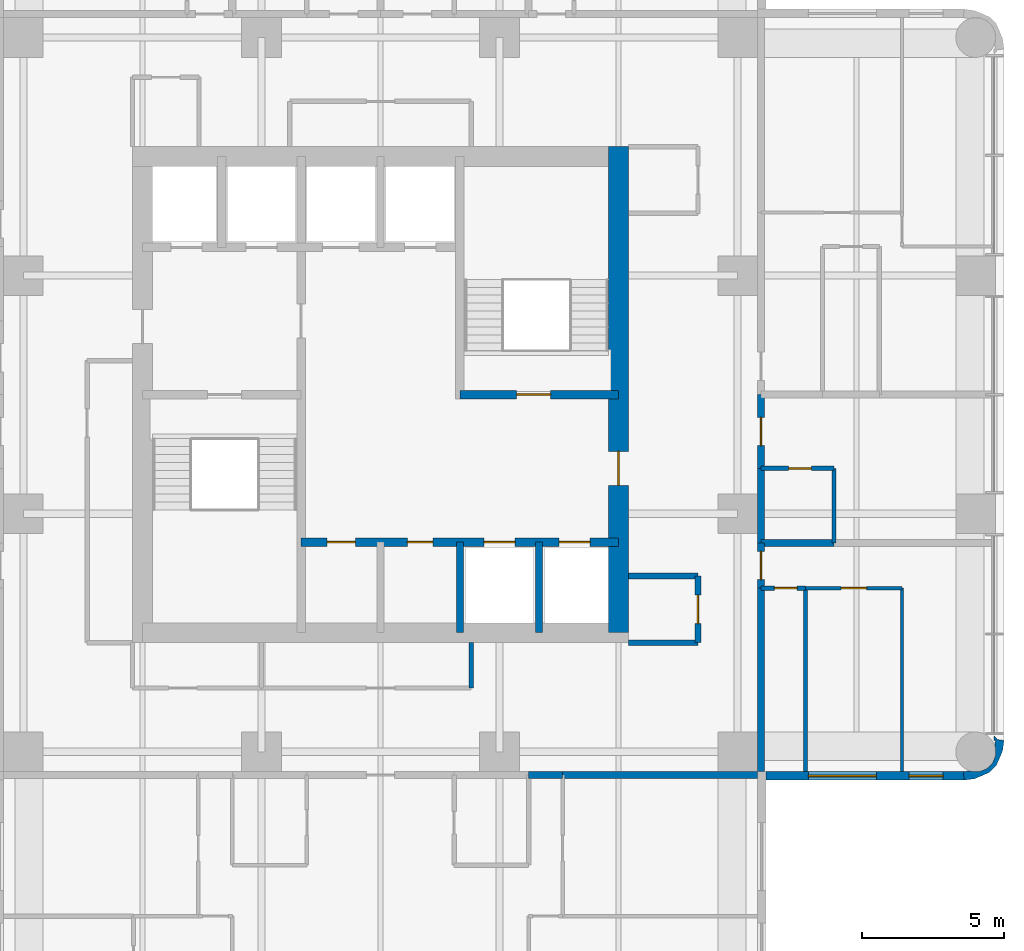
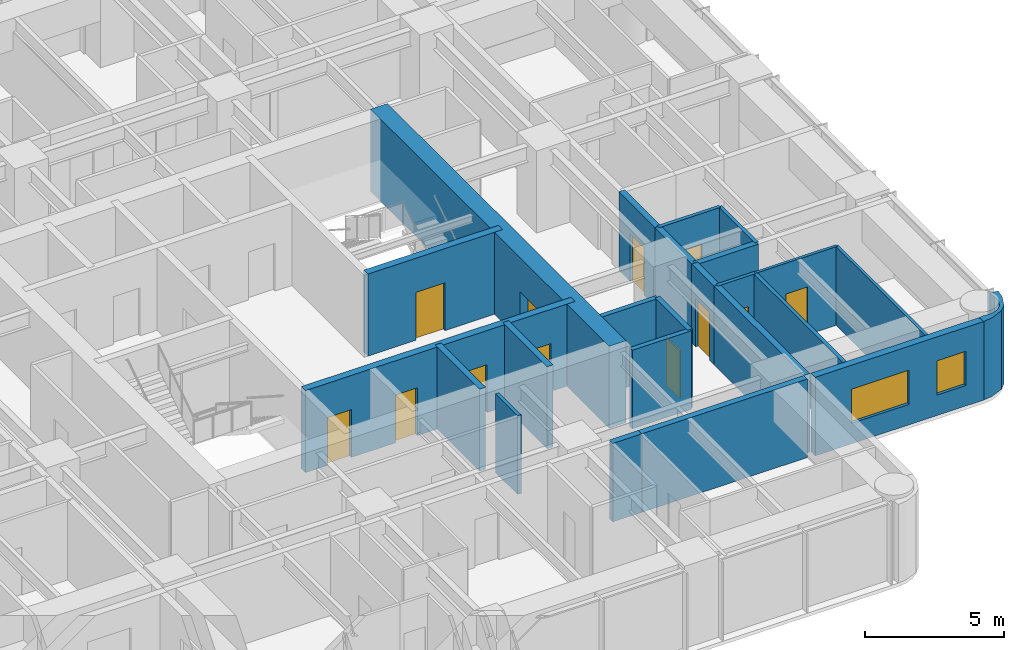
# One storey, part 7 of 11: 24 walls, 12 doors, 2 windows, 14 openings.
"""IFC4 building model written with IfcOpenShell, lengths in metres."""

from ifc_helpers import new_model, si_unit, direction, frame, frame_2d, origin, place, context, subcontext, project, spatial, polyline, rectangle, outline, extrude, material, layer, layer_set, type_object, element, fill, save


model = new_model("IFC4")

# Units and contexts
model_context = context("Model", 3, precision=1e-05, world=origin(), true_north=direction((0.0, 1.0)))
body_context = subcontext(model_context, "Body", "Model", "MODEL_VIEW")
ifc_project = project(units=[si_unit("LENGTHUNIT", "METRE"), si_unit("AREAUNIT", "SQUARE_METRE"), si_unit("VOLUMEUNIT", "CUBIC_METRE"), si_unit("PLANEANGLEUNIT", "RADIAN"), si_unit("MASSUNIT", "GRAM", prefix="KILO")], contexts=[model_context])

# Site, building, storey
site_placement = place(None, origin())
site = spatial("IfcSite", under=ifc_project, at=site_placement, CompositionType="ELEMENT")
building_placement = place(site_placement, origin())
building = spatial("IfcBuilding", under=site, at=building_placement, Name="Torre Alcanfor", CompositionType="ELEMENT")
storey_placement = place(building_placement, frame((0.0, 0.0, 219.300048828125)))
storey = spatial("IfcBuildingStorey", under=building, at=storey_placement, Name="L57", CompositionType="ELEMENT", Elevation=219.300048828125)

# Wall, opening, door
ifc_material_1 = material(Name="Concrete block masonry, hollow blocks NMX-C-404 9 MPa", Category="masonry")
ifc_layer_1 = layer(ifc_material_1, 0.25)
ifc_layer_set_1 = layer_set([ifc_layer_1], Name="Apartment entrance wall 250 EI 60")
wall_type_1 = type_object("IfcWallType", Name="Apartment entrance wall 250 EI 60", PredefinedType="PARTITIONING", material=ifc_layer_set_1)
wall_1_placement = place(storey_placement, frame((42.824951171875, 29.39990234375, 0.0), z_axis=(0.0, 0.0, 1.0), x_axis=(0.0, -1.0, 0.0)))
wall_1 = element("IfcWall", 1, at=wall_1_placement, inside=storey, type_object=wall_type_1, Name="Partition L57-CORR / L57-E2A-STUDIO", PredefinedType="PARTITIONING", context=body_context, shape_type="SweptSolid", body=[
    extrude(rectangle(XDim=2.599853515625, YDim=0.25, at=frame_2d((1.2998046875, 0.0))), origin(), (0.0, 0.0, 1.0), 3.449951171875),
])
opening_1_placement = place(wall_1_placement, frame((0.800048828125, 0.0, 0.0)))
opening_1 = element("IfcOpeningElement", 2, at=opening_1_placement, cuts=wall_1, Name="Opening D-A1", PredefinedType="OPENING", context=body_context, shape_type="SweptSolid", body=[
    extrude(rectangle(XDim=1.0, YDim=2.10009765625, at=frame_2d((0.5, 1.050048828125))), frame((0.0, 0.135009765625, 0.0), z_axis=(0.0, -1.0, 0.0), x_axis=(1.0, 0.0, 0.0)), (0.0, 0.0, 1.0), 0.27001953125),
])
ifc_material_2 = material(Name="Galvanised steel sheet ASTM A653", Category="steel")
door_type_1 = type_object("IfcDoorType", Name="Apartment entrance door FD60 1000x2100", OperationType="SINGLE_SWING_LEFT", PredefinedType="DOOR", material=ifc_material_2)
door_1_placement = place(opening_1_placement, origin())
door_1 = element("IfcDoor", 3, at=door_1_placement, inside=storey, type_object=door_type_1, Name="Apartment entrance L57-E2A", OperationType="SINGLE_SWING_LEFT", OverallHeight=2.10009765625, OverallWidth=1.0, PredefinedType="DOOR", context=body_context, shape_type="SweptSolid", body=[
    extrude(rectangle(XDim=1.0, YDim=2.10009765625, at=frame_2d((0.5, 1.050048828125))), frame((0.0, 0.02490234375, 0.0), z_axis=(0.0, -1.0, 0.0), x_axis=(1.0, 0.0, 0.0)), (0.0, 0.0, 1.0), 0.050048828125),
])
fill(opening_1, door_1)

# Wall
wall_2_placement = place(storey_placement, frame((42.824951171875, 26.800048828125, 0.0), z_axis=(0.0, 0.0, 1.0), x_axis=(0.0, -1.0, 0.0)))
element("IfcWall", 4, at=wall_2_placement, inside=storey, type_object=wall_type_1, Name="Partition L57-CORR / L57-E2A-BATH", PredefinedType="PARTITIONING", context=body_context, shape_type="SweptSolid", body=[
    extrude(rectangle(XDim=2.629150390625, YDim=0.25, at=frame_2d((1.314453125, 0.0))), origin(), (0.0, 0.0, 1.0), 3.449951171875),
])

# Wall, opening, door
wall_3_placement = place(storey_placement, frame((42.824951171875, 24.1708984375, 0.0), z_axis=(0.0, 0.0, 1.0), x_axis=(0.0, -1.0, 0.0)))
wall_3 = element("IfcWall", 5, at=wall_3_placement, inside=storey, type_object=wall_type_1, Name="Partition L57-CORR / L57-E2B-LIVING", PredefinedType="PARTITIONING", context=body_context, shape_type="SweptSolid", body=[
    extrude(rectangle(XDim=1.599853515625, YDim=0.25, at=frame_2d((0.7998046875, 0.0))), origin(), (0.0, 0.0, 1.0), 3.449951171875),
])
opening_2_placement = place(wall_3_placement, frame((0.300048828125, 0.0, 0.0)))
opening_2 = element("IfcOpeningElement", 6, at=opening_2_placement, cuts=wall_3, Name="Opening D-A1", PredefinedType="OPENING", context=body_context, shape_type="SweptSolid", body=[
    extrude(rectangle(XDim=1.0, YDim=2.10009765625, at=frame_2d((0.5, 1.050048828125))), frame((0.0, 0.135009765625, 0.0), z_axis=(0.0, -1.0, 0.0), x_axis=(1.0, 0.0, 0.0)), (0.0, 0.0, 1.0), 0.27001953125),
])
door_2_placement = place(opening_2_placement, origin())
door_2 = element("IfcDoor", 7, at=door_2_placement, inside=storey, type_object=door_type_1, Name="Apartment entrance L57-E2B", OperationType="SINGLE_SWING_LEFT", OverallHeight=2.10009765625, OverallWidth=1.0, PredefinedType="DOOR", context=body_context, shape_type="SweptSolid", body=[
    extrude(rectangle(XDim=1.0, YDim=2.10009765625, at=frame_2d((0.5, 1.050048828125))), frame((0.0, 0.02490234375, 0.0), z_axis=(0.0, -1.0, 0.0), x_axis=(1.0, 0.0, 0.0)), (0.0, 0.0, 1.0), 0.050048828125),
])
fill(opening_2, door_2)

# Walls
wall_4_placement = place(storey_placement, frame((42.824951171875, 22.571044921875, 0.0), z_axis=(0.0, 0.0, 1.0), x_axis=(0.0, -1.0, 0.0)))
element("IfcWall", 8, at=wall_4_placement, inside=storey, type_object=wall_type_1, Name="Partition L57-CORR / L57-E2B-BATH", PredefinedType="PARTITIONING", context=body_context, shape_type="SweptSolid", body=[
    extrude(rectangle(XDim=6.470947265625, YDim=0.25, at=frame_2d((3.2353515625, 0.0))), origin(), (0.0, 0.0, 1.0), 3.449951171875),
])
wall_5_placement = place(storey_placement, frame((35.8291015625, 15.97509765625, 0.0), z_axis=(0.0, 0.0, 1.0), x_axis=(-1.0, 0.0, 0.0)))
element("IfcWall", 9, at=wall_5_placement, inside=storey, type_object=wall_type_1, Name="Partition L57-CORR / L57-SX-LIVING", PredefinedType="PARTITIONING", context=body_context, shape_type="SweptSolid", body=[
    extrude(rectangle(XDim=1.2001953125, YDim=0.25, at=frame_2d((0.60009765625, 0.0))), origin(), (0.0, 0.0, 1.0), 3.449951171875),
])
wall_6_placement = place(storey_placement, frame((42.699951171875, 15.97509765625, 0.0), z_axis=(0.0, 0.0, 1.0), x_axis=(-1.0, 0.0, 0.0)))
element("IfcWall", 10, at=wall_6_placement, inside=storey, type_object=wall_type_1, Name="Partition L57-CORR / L57-SX-BED2", PredefinedType="PARTITIONING", context=body_context, shape_type="SweptSolid", body=[
    extrude(rectangle(XDim=6.870849609375, YDim=0.25, at=frame_2d((3.435546875, 0.0))), origin(), (0.0, 0.0, 1.0), 3.449951171875),
])
ifc_material_3 = material(Name="Gypsum board on steel studs", Category="steel")
ifc_layer_2 = layer(ifc_material_3, 0.1201171875)
ifc_layer_set_2 = layer_set([ifc_layer_2], Name="Apartment partition 120")
wall_type_2 = type_object("IfcWallType", Name="Apartment partition 120", PredefinedType="PARTITIONING", material=ifc_layer_set_2)
wall_7_placement = place(storey_placement, frame((47.800048828125, 16.10009765625, 0.0), z_axis=(0.0, 0.0, 1.0), x_axis=(0.0, 1.0, 0.0)))
element("IfcWall", 11, at=wall_7_placement, inside=storey, type_object=wall_type_2, Name="Partition L57-E2B-LIVING / L57-E2B-MASTER", PredefinedType="PARTITIONING", context=body_context, shape_type="SweptSolid", body=[
    extrude(rectangle(XDim=6.470947265625, YDim=0.1201171875, at=frame_2d((3.2353515625, 0.0))), origin(), (0.0, 0.0, 1.0), 3.449951171875),
])

# Wall, opening, door
wall_8_placement = place(storey_placement, frame((47.800048828125, 22.571044921875, 0.0), z_axis=(0.0, 0.0, 1.0), x_axis=(-1.0, 0.0, 0.0)))
wall_8 = element("IfcWall", 12, at=wall_8_placement, inside=storey, type_object=wall_type_2, Name="Partition L57-E2B-LIVING / L57-E2B-MASTER", PredefinedType="PARTITIONING", context=body_context, shape_type="SweptSolid", body=[
    extrude(rectangle(XDim=3.400146484375, YDim=0.1201171875, at=frame_2d((1.7001953125, 0.0))), origin(), (0.0, 0.0, 1.0), 3.449951171875),
])
opening_3_placement = place(wall_8_placement, frame((1.25, 0.0, 0.0)))
opening_3 = element("IfcOpeningElement", 13, at=opening_3_placement, cuts=wall_8, Name="Opening D-R1", PredefinedType="OPENING", context=body_context, shape_type="SweptSolid", body=[
    extrude(rectangle(XDim=0.89990234375, YDim=2.10009765625, at=frame_2d((0.449951171875, 1.050048828125))), frame((0.0, 0.070068359375, 0.0), z_axis=(0.0, -1.0, 0.0), x_axis=(1.0, 0.0, 0.0)), (0.0, 0.0, 1.0), 0.14013671875),
])
ifc_material_4 = material(Name="Timber", Category="wood")
door_type_2 = type_object("IfcDoorType", Name="Internal door 900x2100", OperationType="SINGLE_SWING_LEFT", PredefinedType="DOOR", material=ifc_material_4)
door_3_placement = place(opening_3_placement, origin())
door_3 = element("IfcDoor", 14, at=door_3_placement, inside=storey, type_object=door_type_2, Name="Door L57-E2B master", OperationType="SINGLE_SWING_LEFT", OverallHeight=2.10009765625, OverallWidth=0.89990234375, PredefinedType="DOOR", context=body_context, shape_type="SweptSolid", body=[
    extrude(rectangle(XDim=0.89990234375, YDim=2.10009765625, at=frame_2d((0.449951171875, 1.050048828125))), frame((0.0, 0.02490234375, 0.0), z_axis=(0.0, -1.0, 0.0), x_axis=(1.0, 0.0, 0.0)), (0.0, 0.0, 1.0), 0.050048828125),
])
fill(opening_3, door_3)

# Wall, openings, doors
ifc_material_5 = material(Name="Concrete f'c 70 MPa", Category="concrete")
ifc_layer_3 = layer(ifc_material_5, 0.300048828125)
ifc_layer_set_3 = layer_set([ifc_layer_3], Name="Core inner wall 300 f'c70")
wall_type_3 = type_object("IfcWallType", Name="Core inner wall 300 f'c70", PredefinedType="SHEAR", material=ifc_layer_set_3)
wall_9_placement = place(storey_placement, frame((26.60009765625, 24.199951171875, 0.0), z_axis=(0.0, 0.0, 1.0), x_axis=(1.0, 0.0, 0.0)))
wall_9 = element("IfcWall", 15, at=wall_9_placement, inside=storey, type_object=wall_type_3, Name="Core wall Y242 L57", PredefinedType="SHEAR", context=body_context, shape_type="SweptSolid", body=[
    extrude(rectangle(XDim=11.199951171875, YDim=0.300048828125, at=frame_2d((5.60009765625, 0.0))), origin(), (0.0, 0.0, 1.0), 3.599853515625),
])
opening_4_placement = place(wall_9_placement, frame((0.91259765625, 0.0, 0.0)))
opening_4 = element("IfcOpeningElement", 16, at=opening_4_placement, cuts=wall_9, Name="Opening D-K1", PredefinedType="OPENING", context=body_context, shape_type="SweptSolid", body=[
    extrude(rectangle(XDim=1.0, YDim=2.10009765625, at=frame_2d((0.5, 1.050048828125))), frame((0.0, 0.159912109375, 0.0), z_axis=(0.0, -1.0, 0.0), x_axis=(1.0, 0.0, 0.0)), (0.0, 0.0, 1.0), 0.320068359375),
])
opening_5_placement = place(wall_9_placement, frame((3.75, 0.0, 0.0)))
opening_5 = element("IfcOpeningElement", 17, at=opening_5_placement, cuts=wall_9, Name="Opening D-Q1", PredefinedType="OPENING", context=body_context, shape_type="SweptSolid", body=[
    extrude(rectangle(XDim=0.89990234375, YDim=2.10009765625, at=frame_2d((0.449951171875, 1.050048828125))), frame((0.0, 0.159912109375, 0.0), z_axis=(0.0, -1.0, 0.0), x_axis=(1.0, 0.0, 0.0)), (0.0, 0.0, 1.0), 0.320068359375),
])
opening_6_placement = place(wall_9_placement, frame((6.449951171875, 0.0, 0.0)))
opening_6 = element("IfcOpeningElement", 18, at=opening_6_placement, cuts=wall_9, Name="Opening LD1", PredefinedType="OPENING", context=body_context, shape_type="SweptSolid", body=[
    extrude(rectangle(XDim=1.10009765625, YDim=2.10009765625, at=frame_2d((0.550048828125, 1.050048828125))), frame((0.0, 0.159912109375, 0.0), z_axis=(0.0, -1.0, 0.0), x_axis=(1.0, 0.0, 0.0)), (0.0, 0.0, 1.0), 0.320068359375),
])
opening_7_placement = place(wall_9_placement, frame((9.10009765625, 0.0, 0.0)))
opening_7 = element("IfcOpeningElement", 19, at=opening_7_placement, cuts=wall_9, Name="Opening LD1", PredefinedType="OPENING", context=body_context, shape_type="SweptSolid", body=[
    extrude(rectangle(XDim=1.10009765625, YDim=2.10009765625, at=frame_2d((0.550048828125, 1.050048828125))), frame((0.0, 0.159912109375, 0.0), z_axis=(0.0, -1.0, 0.0), x_axis=(1.0, 0.0, 0.0)), (0.0, 0.0, 1.0), 0.320068359375),
])
ifc_material_6 = material(Name="Galvanised steel sheet ASTM A653", Category="steel")
door_type_3 = type_object("IfcDoorType", Name="Core room door FD60 1000x2100", OperationType="SINGLE_SWING_LEFT", PredefinedType="DOOR", material=ifc_material_6)
door_4_placement = place(opening_4_placement, frame((1.0, 0.0, 0.0), z_axis=(0.0, 0.0, 1.0), x_axis=(-1.0, 0.0, 0.0)))
door_4 = element("IfcDoor", 20, at=door_4_placement, inside=storey, type_object=door_type_3, Name="Housekeeping store door L57", OperationType="SINGLE_SWING_RIGHT", OverallHeight=2.10009765625, OverallWidth=1.0, PredefinedType="DOOR", context=body_context, shape_type="SweptSolid", body=[
    extrude(rectangle(XDim=1.0, YDim=2.10009765625, at=frame_2d((0.5, 1.050048828125))), frame((0.0, 0.025146484375, 0.0), z_axis=(0.0, -1.0, 0.0), x_axis=(1.0, 0.0, 0.0)), (0.0, 0.0, 1.0), 0.050048828125),
])
fill(opening_4, door_4)
ifc_material_7 = material(Name="Galvanised steel sheet ASTM A653", Category="steel")
door_type_4 = type_object("IfcDoorType", Name="Lift landing door 1100x2100", OperationType="DOUBLE_DOOR_SLIDING", PredefinedType="DOOR", material=ifc_material_7)
door_5_placement = place(opening_6_placement, origin())
door_5 = element("IfcDoor", 21, at=door_5_placement, inside=storey, type_object=door_type_4, Name="Lift landing door PA3 L57", OperationType="DOUBLE_DOOR_SLIDING", OverallHeight=2.10009765625, OverallWidth=1.10009765625, PredefinedType="DOOR", context=body_context, shape_type="SweptSolid", body=[
    extrude(rectangle(XDim=1.10009765625, YDim=2.10009765625, at=frame_2d((0.550048828125, 1.050048828125))), frame((0.0, 0.02490234375, 0.0), z_axis=(0.0, -1.0, 0.0), x_axis=(1.0, 0.0, 0.0)), (0.0, 0.0, 1.0), 0.050048828125),
])
fill(opening_6, door_5)
door_6_placement = place(opening_7_placement, origin())
door_6 = element("IfcDoor", 22, at=door_6_placement, inside=storey, type_object=door_type_4, Name="Lift landing door PA4 L57", OperationType="DOUBLE_DOOR_SLIDING", OverallHeight=2.10009765625, OverallWidth=1.10009765625, PredefinedType="DOOR", context=body_context, shape_type="SweptSolid", body=[
    extrude(rectangle(XDim=1.10009765625, YDim=2.10009765625, at=frame_2d((0.550048828125, 1.050048828125))), frame((0.0, 0.02490234375, 0.0), z_axis=(0.0, -1.0, 0.0), x_axis=(1.0, 0.0, 0.0)), (0.0, 0.0, 1.0), 0.050048828125),
])
fill(opening_7, door_6)
ifc_material_8 = material(Name="Galvanised steel sheet ASTM A653", Category="steel")
door_type_5 = type_object("IfcDoorType", Name="Riser access door FD120 900x2100", OperationType="SINGLE_SWING_LEFT", PredefinedType="DOOR", material=ifc_material_8)
door_7_placement = place(opening_5_placement, frame((0.89990234375, 0.0, 0.0), z_axis=(0.0, 0.0, 1.0), x_axis=(-1.0, 0.0, 0.0)))
door_7 = element("IfcDoor", 23, at=door_7_placement, inside=storey, type_object=door_type_5, Name="Riser door L57", OperationType="SINGLE_SWING_RIGHT", OverallHeight=2.10009765625, OverallWidth=0.89990234375, PredefinedType="DOOR", context=body_context, shape_type="SweptSolid", body=[
    extrude(rectangle(XDim=0.89990234375, YDim=2.10009765625, at=frame_2d((0.449951171875, 1.050048828125))), frame((0.0, 0.025146484375, 0.0), z_axis=(0.0, -1.0, 0.0), x_axis=(1.0, 0.0, 0.0)), (0.0, 0.0, 1.0), 0.050048828125),
])
fill(opening_5, door_7)

# Wall, opening, door
wall_10_placement = place(storey_placement, frame((32.199951171875, 29.39990234375, 0.0), z_axis=(0.0, 0.0, 1.0), x_axis=(1.0, 0.0, 0.0)))
wall_10 = element("IfcWall", 24, at=wall_10_placement, inside=storey, type_object=wall_type_3, Name="Core wall Y294E L57", PredefinedType="SHEAR", context=body_context, shape_type="SweptSolid", body=[
    extrude(rectangle(XDim=5.60009765625, YDim=0.300048828125, at=frame_2d((2.800048828125, 0.0))), origin(), (0.0, 0.0, 1.0), 3.599853515625),
])
opening_8_placement = place(wall_10_placement, frame((2.0, 0.0, 0.0)))
opening_8 = element("IfcOpeningElement", 25, at=opening_8_placement, cuts=wall_10, Name="Opening D-S2", PredefinedType="OPENING", context=body_context, shape_type="SweptSolid", body=[
    extrude(rectangle(XDim=1.199951171875, YDim=2.10009765625, at=frame_2d((0.60009765625, 1.050048828125))), frame((0.0, 0.159912109375, 0.0), z_axis=(0.0, -1.0, 0.0), x_axis=(1.0, 0.0, 0.0)), (0.0, 0.0, 1.0), 0.320068359375),
])
ifc_material_9 = material(Name="Galvanised steel sheet ASTM A653", Category="steel")
door_type_6 = type_object("IfcDoorType", Name="Stair enclosure door FD120 1200x2100", OperationType="SINGLE_SWING_LEFT", PredefinedType="DOOR", material=ifc_material_9)
door_8_placement = place(opening_8_placement, origin())
door_8 = element("IfcDoor", 26, at=door_8_placement, inside=storey, type_object=door_type_6, Name="Stair S2 door L57", OperationType="SINGLE_SWING_LEFT", OverallHeight=2.10009765625, OverallWidth=1.199951171875, PredefinedType="DOOR", context=body_context, shape_type="SweptSolid", body=[
    extrude(rectangle(XDim=1.199951171875, YDim=2.10009765625, at=frame_2d((0.60009765625, 1.050048828125))), frame((0.0, 0.02490234375, 0.0), z_axis=(0.0, -1.0, 0.0), x_axis=(1.0, 0.0, 0.0)), (0.0, 0.0, 1.0), 0.050048828125),
])
fill(opening_8, door_8)

# Walls
ifc_material_10 = material(Name="Concrete f'c 70 MPa", Category="concrete")
ifc_layer_4 = layer(ifc_material_10, 0.25)
ifc_layer_set_4 = layer_set([ifc_layer_4], Name="Core shaft wall 250 f'c70")
wall_type_4 = type_object("IfcWallType", Name="Core shaft wall 250 f'c70", PredefinedType="SHEAR", material=ifc_layer_set_4)
for number, where, z_axis, x_axis, name in (
    (27, (32.199951171875, 21.0, 0.0), (0.0, 0.0, 1.0), (0.0, 1.0, 0.0), "Core wall X322S L57"),
    (28, (35.0, 21.0, 0.0), (0.0, 0.0, 1.0), (0.0, 1.0, 0.0), "Core wall X350S L57"),
):
    element("IfcWall", number, at=place(storey_placement, frame(where, z_axis=z_axis, x_axis=x_axis)), inside=storey, type_object=wall_type_4, Name=name, PredefinedType="SHEAR", context=body_context, shape_type="SweptSolid", body=[
        extrude(rectangle(XDim=3.199951171875, YDim=0.25, at=frame_2d((1.60009765625, 0.0))), origin(), (0.0, 0.0, 1.0), 3.599853515625),
    ])

# Wall, opening, door
ifc_material_11 = material(Name="Concrete f'c 70 MPa", Category="concrete")
ifc_layer_5 = layer(ifc_material_11, 0.699951171875)
ifc_layer_set_5 = layer_set([ifc_layer_5], Name="Core wall 700 f'c70")
wall_type_5 = type_object("IfcWallType", Name="Core wall 700 f'c70", PredefinedType="SHEAR", material=ifc_layer_set_5)
wall_11_placement = place(storey_placement, frame((37.800048828125, 21.0, 0.0), z_axis=(0.0, 0.0, 1.0), x_axis=(0.0, 1.0, 0.0)))
wall_11 = element("IfcWall", 29, at=wall_11_placement, inside=storey, type_object=wall_type_5, Name="Core wall OUT-E L57", PredefinedType="SHEAR", context=body_context, shape_type="SweptSolid", body=[
    extrude(rectangle(XDim=17.14990234375, YDim=0.699951171875, at=frame_2d((8.574951171875, 0.0))), origin(), (0.0, 0.0, 1.0), 3.599853515625),
])
opening_9_placement = place(wall_11_placement, frame((5.199951171875, 0.0, 0.0)))
opening_9 = element("IfcOpeningElement", 30, at=opening_9_placement, cuts=wall_11, Name="Opening D-L1", PredefinedType="OPENING", context=body_context, shape_type="SweptSolid", body=[
    extrude(rectangle(XDim=1.199951171875, YDim=2.10009765625, at=frame_2d((0.60009765625, 1.050048828125))), frame((0.0, 0.35986328125, 0.0), z_axis=(0.0, -1.0, 0.0), x_axis=(1.0, 0.0, 0.0)), (0.0, 0.0, 1.0), 0.719970703125),
])
ifc_material_12 = material(Name="Galvanised steel sheet ASTM A653", Category="steel")
door_type_7 = type_object("IfcDoorType", Name="Lobby door FD120 1200x2100", OperationType="SINGLE_SWING_LEFT", PredefinedType="DOOR", material=ifc_material_12)
door_9_placement = place(opening_9_placement, origin())
door_9 = element("IfcDoor", 31, at=door_9_placement, inside=storey, type_object=door_type_7, Name="Lift lobby entrance door L57", OperationType="SINGLE_SWING_LEFT", OverallHeight=2.10009765625, OverallWidth=1.199951171875, PredefinedType="DOOR", context=body_context, shape_type="SweptSolid", body=[
    extrude(rectangle(XDim=1.199951171875, YDim=2.10009765625, at=frame_2d((0.60009765625, 1.050048828125))), frame((0.0, 0.02490234375, 0.0), z_axis=(0.0, -1.0, 0.0), x_axis=(1.0, 0.0, 0.0)), (0.0, 0.0, 1.0), 0.050048828125),
])
fill(opening_9, door_9)

# Wall, openings, windows
ifc_material_13 = material(Name="Limestone cladding", Category="masonry")
ifc_layer_6 = layer(ifc_material_13, 0.0400390625, Name="Facing")
ifc_material_14 = material(Name="Ventilated air cavity")
ifc_layer_7 = layer(ifc_material_14, 0.02001953125, ventilated=True, Name="Ventilated joint")
ifc_material_15 = material(Name="Mineral wool insulation", Category="insulation")
ifc_layer_8 = layer(ifc_material_15, 0.10009765625, Name="Insulation")
ifc_material_16 = material(Name="Concrete f'c 35 MPa", Category="concrete")
ifc_layer_9 = layer(ifc_material_16, 0.139892578125, Name="Backing")
ifc_layer_set_6 = layer_set([ifc_layer_6, ifc_layer_7, ifc_layer_8, ifc_layer_9], Name="External wall stone-clad 300")
wall_type_6 = type_object("IfcWallType", Name="External wall stone-clad 300", PredefinedType="SOLIDWALL", material=ifc_layer_set_6)
wall_12_placement = place(storey_placement, frame((43.0, 15.949951171875, 0.0), z_axis=(0.0, 0.0, 1.0), x_axis=(1.0, 0.0, 0.0)))
wall_12 = element("IfcWall", 32, at=wall_12_placement, inside=storey, type_object=wall_type_6, Name="External wall L57 7", PredefinedType="SOLIDWALL", context=body_context, shape_type="SweptSolid", body=[
    extrude(rectangle(XDim=7.0, YDim=0.300048828125, at=frame_2d((3.5, 0.0))), origin(), (0.0, 0.0, 1.0), 3.449951171875),
])
opening_10_placement = place(wall_12_placement, frame((1.5, 0.0, 0.89990234375)))
opening_10 = element("IfcOpeningElement", 33, at=opening_10_placement, cuts=wall_12, Name="Opening W1", PredefinedType="OPENING", context=body_context, shape_type="SweptSolid", body=[
    extrude(rectangle(XDim=2.39990234375, YDim=1.5, at=frame_2d((1.199951171875, 0.75))), frame((0.0, 0.159912109375, 0.0), z_axis=(0.0, -1.0, 0.0), x_axis=(1.0, 0.0, 0.0)), (0.0, 0.0, 1.0), 0.320068359375),
])
opening_11_placement = place(wall_12_placement, frame((5.050048828125, 0.0, 0.89990234375)))
opening_11 = element("IfcOpeningElement", 34, at=opening_11_placement, cuts=wall_12, Name="Opening W4", PredefinedType="OPENING", context=body_context, shape_type="SweptSolid", body=[
    extrude(rectangle(XDim=1.199951171875, YDim=1.5, at=frame_2d((0.60009765625, 0.75))), frame((0.0, 0.159912109375, 0.0), z_axis=(0.0, -1.0, 0.0), x_axis=(1.0, 0.0, 0.0)), (0.0, 0.0, 1.0), 0.320068359375),
])
ifc_material_17 = material(Name="Aluminium frame with clear double glazing", Category="aluminium")
window_type_1 = type_object("IfcWindowType", Name="Window bedroom 1200x1500", PartitioningType="SINGLE_PANEL", PredefinedType="WINDOW", material=ifc_material_17)
window_1_placement = place(opening_11_placement, origin())
window_1 = element("IfcWindow", 35, at=window_1_placement, inside=storey, type_object=window_type_1, Name="Window W4 L57-E2", OverallHeight=1.5, OverallWidth=1.199951171875, PartitioningType="SINGLE_PANEL", PredefinedType="WINDOW", context=body_context, shape_type="SweptSolid", body=[
    extrude(rectangle(XDim=1.199951171875, YDim=1.5, at=frame_2d((0.60009765625, 0.75))), frame((0.0, 0.030029296875, 0.0), z_axis=(0.0, -1.0, 0.0), x_axis=(1.0, 0.0, 0.0)), (0.0, 0.0, 1.0), 0.06005859375),
])
fill(opening_11, window_1)
ifc_material_18 = material(Name="Aluminium frame with clear double glazing", Category="aluminium")
window_type_2 = type_object("IfcWindowType", Name="Window bedroom 2400x1500", PartitioningType="SINGLE_PANEL", PredefinedType="WINDOW", material=ifc_material_18)
window_2_placement = place(opening_10_placement, origin())
window_2 = element("IfcWindow", 36, at=window_2_placement, inside=storey, type_object=window_type_2, Name="Window W1 L57-E2", OverallHeight=1.5, OverallWidth=2.39990234375, PartitioningType="SINGLE_PANEL", PredefinedType="WINDOW", context=body_context, shape_type="SweptSolid", body=[
    extrude(rectangle(XDim=2.39990234375, YDim=1.5, at=frame_2d((1.199951171875, 0.75))), frame((0.0, 0.030029296875, 0.0), z_axis=(0.0, -1.0, 0.0), x_axis=(1.0, 0.0, 0.0)), (0.0, 0.0, 1.0), 0.06005859375),
])
fill(opening_10, window_2)

# Walls
ifc_material_19 = material(Name="Concrete block masonry, hollow blocks NMX-C-404 9 MPa", Category="masonry")
ifc_layer_10 = layer(ifc_material_19, 0.25)
ifc_layer_set_7 = layer_set([ifc_layer_10], Name="Party wall 250 EI 60")
wall_type_7 = type_object("IfcWallType", Name="Party wall 250 EI 60", PredefinedType="PARTITIONING", material=ifc_layer_set_7)
wall_13_placement = place(storey_placement, frame((45.39990234375, 24.1708984375, 0.0), z_axis=(0.0, 0.0, 1.0), x_axis=(-1.0, 0.0, 0.0)))
element("IfcWall", 37, at=wall_13_placement, inside=storey, type_object=wall_type_7, Name="Partition L57-E2A-BATH / L57-E2B-LIVING", PredefinedType="PARTITIONING", context=body_context, shape_type="SweptSolid", body=[
    extrude(rectangle(XDim=2.574951171875, YDim=0.25, at=frame_2d((1.28759765625, 0.0))), origin(), (0.0, 0.0, 1.0), 3.449951171875),
])
ifc_material_20 = material(Name="Concrete block masonry, hollow blocks NMX-C-404 9 MPa", Category="masonry")
ifc_layer_11 = layer(ifc_material_20, 0.199951171875)
ifc_layer_set_8 = layer_set([ifc_layer_11], Name="Plant room wall 200 EI 60")
wall_type_8 = type_object("IfcWallType", Name="Plant room wall 200 EI 60", PredefinedType="PARTITIONING", material=ifc_layer_set_8)
wall_14_placement = place(storey_placement, frame((38.14990234375, 20.64990234375, 0.0), z_axis=(0.0, 0.0, 1.0), x_axis=(1.0, 0.0, 0.0)))
element("IfcWall", 38, at=wall_14_placement, inside=storey, type_object=wall_type_8, Name="Partition L57-CORR / L57-G03", PredefinedType="PARTITIONING", context=body_context, shape_type="SweptSolid", body=[
    extrude(rectangle(XDim=2.4501953125, YDim=0.199951171875, at=frame_2d((1.22509765625, 0.0))), origin(), (0.0, 0.0, 1.0), 3.449951171875),
])

# Wall, opening, door
wall_15_placement = place(storey_placement, frame((40.60009765625, 20.64990234375, 0.0), z_axis=(0.0, 0.0, 1.0), x_axis=(0.0, 1.0, 0.0)))
wall_15 = element("IfcWall", 39, at=wall_15_placement, inside=storey, type_object=wall_type_8, Name="Partition L57-CORR / L57-G03", PredefinedType="PARTITIONING", context=body_context, shape_type="SweptSolid", body=[
    extrude(rectangle(XDim=2.35009765625, YDim=0.199951171875, at=frame_2d((1.175048828125, 0.0))), origin(), (0.0, 0.0, 1.0), 3.449951171875),
])
opening_12_placement = place(wall_15_placement, frame((0.675048828125, 0.0, 0.0)))
opening_12 = element("IfcOpeningElement", 40, at=opening_12_placement, cuts=wall_15, Name="Opening D-K1", PredefinedType="OPENING", context=body_context, shape_type="SweptSolid", body=[
    extrude(rectangle(XDim=1.0, YDim=2.10009765625, at=frame_2d((0.5, 1.050048828125))), frame((0.0, 0.10986328125, 0.0), z_axis=(0.0, -1.0, 0.0), x_axis=(1.0, 0.0, 0.0)), (0.0, 0.0, 1.0), 0.219970703125),
])
door_10_placement = place(opening_12_placement, origin())
door_10 = element("IfcDoor", 41, at=door_10_placement, inside=storey, type_object=door_type_3, Name="Door L57-G03 refuse and recycling store", OperationType="SINGLE_SWING_LEFT", OverallHeight=2.10009765625, OverallWidth=1.0, PredefinedType="DOOR", context=body_context, shape_type="SweptSolid", body=[
    extrude(rectangle(XDim=1.0, YDim=2.10009765625, at=frame_2d((0.5, 1.050048828125))), frame((0.0, 0.02490234375, 0.0), z_axis=(0.0, -1.0, 0.0), x_axis=(1.0, 0.0, 0.0)), (0.0, 0.0, 1.0), 0.050048828125),
])
fill(opening_12, door_10)

# Walls
wall_16_placement = place(storey_placement, frame((40.60009765625, 23.0, 0.0), z_axis=(0.0, 0.0, 1.0), x_axis=(-1.0, 0.0, 0.0)))
element("IfcWall", 42, at=wall_16_placement, inside=storey, type_object=wall_type_8, Name="Partition L57-CORR / L57-G03", PredefinedType="PARTITIONING", context=body_context, shape_type="SweptSolid", body=[
    extrude(rectangle(XDim=2.4501953125, YDim=0.199951171875, at=frame_2d((1.22509765625, 0.0))), origin(), (0.0, 0.0, 1.0), 3.449951171875),
])
ifc_material_21 = material(Name="Concrete block masonry, hollow blocks NMX-C-404 9 MPa", Category="masonry")
ifc_layer_12 = layer(ifc_material_21, 0.14990234375)
ifc_layer_set_9 = layer_set([ifc_layer_12], Name="Residents' room partition 150")
wall_type_9 = type_object("IfcWallType", Name="Residents' room partition 150", PredefinedType="PARTITIONING", material=ifc_layer_set_9)
wall_17_placement = place(storey_placement, frame((32.60009765625, 19.050048828125, 0.0), z_axis=(0.0, 0.0, 1.0), x_axis=(0.0, 1.0, 0.0)))
element("IfcWall", 43, at=wall_17_placement, inside=storey, type_object=wall_type_9, Name="Partition L57-CORR / L57-G06", PredefinedType="PARTITIONING", context=body_context, shape_type="SweptSolid", body=[
    extrude(rectangle(XDim=1.599853515625, YDim=0.14990234375, at=frame_2d((0.7998046875, 0.0))), origin(), (0.0, 0.0, 1.0), 3.449951171875),
])
ifc_layer_13 = layer(ifc_material_13, 0.0400390625, Name="Facing")
ifc_layer_14 = layer(ifc_material_14, 0.02001953125, ventilated=True, Name="Ventilated joint")
ifc_layer_15 = layer(ifc_material_15, 0.10009765625, Name="Insulation")
ifc_layer_16 = layer(ifc_material_16, 0.139892578125, Name="Backing")
ifc_layer_set_10 = layer_set([ifc_layer_13, ifc_layer_14, ifc_layer_15, ifc_layer_16], Name="Rounded corner pier stone-clad 300")
wall_type_10 = type_object("IfcWallType", Name="Rounded corner pier stone-clad 300", PredefinedType="SOLIDWALL", material=ifc_layer_set_10)
wall_18_placement = place(storey_placement, frame((50.110315272, 16.075788181, 0.0), z_axis=(0.0, 0.0, 1.0), x_axis=(0.898030234854, -0.439933741929, 0.0)))
element("IfcWall", 44, at=wall_18_placement, inside=storey, type_object=wall_type_10, Name="Corner pier L57 17", PredefinedType="SOLIDWALL", context=body_context, shape_type="SweptSolid", body=[
    extrude(outline(polyline([(0.6635309497954787, 1.5768652207279077), (0.4261657470939745, 1.4970125439527688), (0.3820436753027886, 1.5360230024769612), (0.27620863417053443, 1.5722591508431565), (0.3493519149941243, 1.422952854472101), (0.3918855735785366, 1.4437895600224335), (0.45340193240181437, 1.2610574190776962), (0.5097761390474591, 1.211465523288862), (0.6324334469777668, 0.961086976364126), (0.6500435101724213, 0.6826272661031227), (0.5595694134864071, 0.41891221165833237), (0.3749822839006132, 0.2096814391710166), (0.12460373697587725, 0.08702413124070879), (0.0497715019894753, 0.08217265535453251), (-0.12751990672054841, -0.03540062823065235), (-0.14527880540785457, -0.04410048982640973), (0.02224059568510124, -0.2961536862237746), (0.3266570480405287, -0.09401072508638375), (0.5683303343389906, 0.18015912102175058), (0.5774346974139304, 0.19875607730145015), (0.6998664144502319, 0.3373020629515939), (0.8106998188665876, 0.6610135622172228), (0.7988778263184556, 0.8455257731096697), (0.8030824189706058, 0.8658003288507671), (0.7801681024384324, 1.230560545874389), (0.6635309497954787, 1.5768652207279077)])), origin(), (0.0, 0.0, 1.0), 3.449951171875),
])
ifc_material_22 = material(Name="Cement board on steel studs", Category="steel")
ifc_layer_17 = layer(ifc_material_22, 0.14990234375)
ifc_layer_set_11 = layer_set([ifc_layer_17], Name="Wet area partition 150")
wall_type_11 = type_object("IfcWallType", Name="Wet area partition 150", PredefinedType="PARTITIONING", material=ifc_layer_set_11)
wall_19_placement = place(storey_placement, frame((45.39990234375, 24.1708984375, 0.0), z_axis=(0.0, 0.0, 1.0), x_axis=(0.0, 1.0, 0.0)))
element("IfcWall", 45, at=wall_19_placement, inside=storey, type_object=wall_type_11, Name="Partition L57-E2A-STUDIO / L57-E2A-BATH", PredefinedType="PARTITIONING", context=body_context, shape_type="SweptSolid", body=[
    extrude(rectangle(XDim=2.629150390625, YDim=0.14990234375, at=frame_2d((1.314453125, 0.0))), origin(), (0.0, 0.0, 1.0), 3.449951171875),
])

# Wall, opening, door
wall_20_placement = place(storey_placement, frame((45.39990234375, 26.800048828125, 0.0), z_axis=(0.0, 0.0, 1.0), x_axis=(-1.0, 0.0, 0.0)))
wall_20 = element("IfcWall", 46, at=wall_20_placement, inside=storey, type_object=wall_type_11, Name="Partition L57-E2A-STUDIO / L57-E2A-BATH", PredefinedType="PARTITIONING", context=body_context, shape_type="SweptSolid", body=[
    extrude(rectangle(XDim=2.574951171875, YDim=0.14990234375, at=frame_2d((1.28759765625, 0.0))), origin(), (0.0, 0.0, 1.0), 3.449951171875),
])
opening_13_placement = place(wall_20_placement, frame((0.800048828125, 0.0, 0.0)))
opening_13 = element("IfcOpeningElement", 47, at=opening_13_placement, cuts=wall_20, Name="Opening D-R2", PredefinedType="OPENING", context=body_context, shape_type="SweptSolid", body=[
    extrude(rectangle(XDim=0.800048828125, YDim=2.10009765625, at=frame_2d((0.39990234375, 1.050048828125))), frame((0.0, 0.0849609375, 0.0), z_axis=(0.0, -1.0, 0.0), x_axis=(1.0, 0.0, 0.0)), (0.0, 0.0, 1.0), 0.169921875),
])
ifc_material_23 = material(Name="Timber", Category="wood")
door_type_8 = type_object("IfcDoorType", Name="Bathroom door 800x2100", OperationType="SINGLE_SWING_LEFT", PredefinedType="DOOR", material=ifc_material_23)
door_11_placement = place(opening_13_placement, origin())
door_11 = element("IfcDoor", 48, at=door_11_placement, inside=storey, type_object=door_type_8, Name="Door L57-E2A bath", OperationType="SINGLE_SWING_LEFT", OverallHeight=2.10009765625, OverallWidth=0.800048828125, PredefinedType="DOOR", context=body_context, shape_type="SweptSolid", body=[
    extrude(rectangle(XDim=0.800048828125, YDim=2.10009765625, at=frame_2d((0.39990234375, 1.050048828125))), frame((0.0, 0.02490234375, 0.0), z_axis=(0.0, -1.0, 0.0), x_axis=(1.0, 0.0, 0.0)), (0.0, 0.0, 1.0), 0.050048828125),
])
fill(opening_13, door_11)

wall_21_placement = place(storey_placement, frame((44.39990234375, 22.571044921875, 0.0), z_axis=(0.0, 0.0, 1.0), x_axis=(-1.0, 0.0, 0.0)))
wall_21 = element("IfcWall", 49, at=wall_21_placement, inside=storey, type_object=wall_type_11, Name="Partition L57-E2B-LIVING / L57-E2B-BATH", PredefinedType="PARTITIONING", context=body_context, shape_type="SweptSolid", body=[
    extrude(rectangle(XDim=1.574951171875, YDim=0.14990234375, at=frame_2d((0.78759765625, 0.0))), origin(), (0.0, 0.0, 1.0), 3.449951171875),
])
opening_14_placement = place(wall_21_placement, frame((0.300048828125, 0.0, 0.0)))
opening_14 = element("IfcOpeningElement", 50, at=opening_14_placement, cuts=wall_21, Name="Opening D-R2", PredefinedType="OPENING", context=body_context, shape_type="SweptSolid", body=[
    extrude(rectangle(XDim=0.800048828125, YDim=2.10009765625, at=frame_2d((0.39990234375, 1.050048828125))), frame((0.0, 0.0849609375, 0.0), z_axis=(0.0, -1.0, 0.0), x_axis=(1.0, 0.0, 0.0)), (0.0, 0.0, 1.0), 0.169921875),
])
door_12_placement = place(opening_14_placement, origin())
door_12 = element("IfcDoor", 51, at=door_12_placement, inside=storey, type_object=door_type_8, Name="Door L57-E2B bath", OperationType="SINGLE_SWING_LEFT", OverallHeight=2.10009765625, OverallWidth=0.800048828125, PredefinedType="DOOR", context=body_context, shape_type="SweptSolid", body=[
    extrude(rectangle(XDim=0.800048828125, YDim=2.10009765625, at=frame_2d((0.39990234375, 1.050048828125))), frame((0.0, 0.02490234375, 0.0), z_axis=(0.0, -1.0, 0.0), x_axis=(1.0, 0.0, 0.0)), (0.0, 0.0, 1.0), 0.050048828125),
])
fill(opening_14, door_12)

# Wall
wall_22_placement = place(storey_placement, frame((44.39990234375, 22.571044921875, 0.0), z_axis=(0.0, 0.0, 1.0), x_axis=(0.0, -1.0, 0.0)))
element("IfcWall", 52, at=wall_22_placement, inside=storey, type_object=wall_type_11, Name="Partition L57-E2B-BATH / L57-E2B-MASTER", PredefinedType="PARTITIONING", context=body_context, shape_type="SweptSolid", body=[
    extrude(rectangle(XDim=6.470947265625, YDim=0.14990234375, at=frame_2d((3.2353515625, 0.0))), origin(), (0.0, 0.0, 1.0), 3.449951171875),
])

save(model, "model.ifc")
